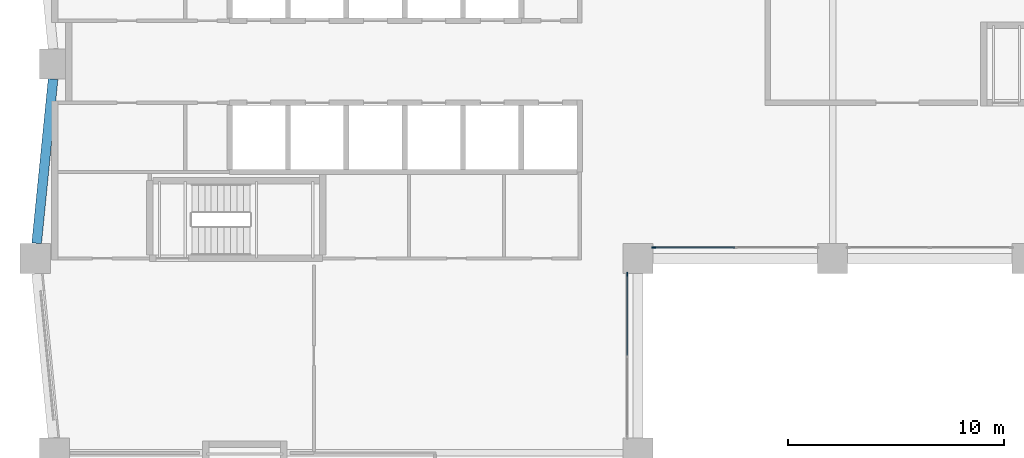
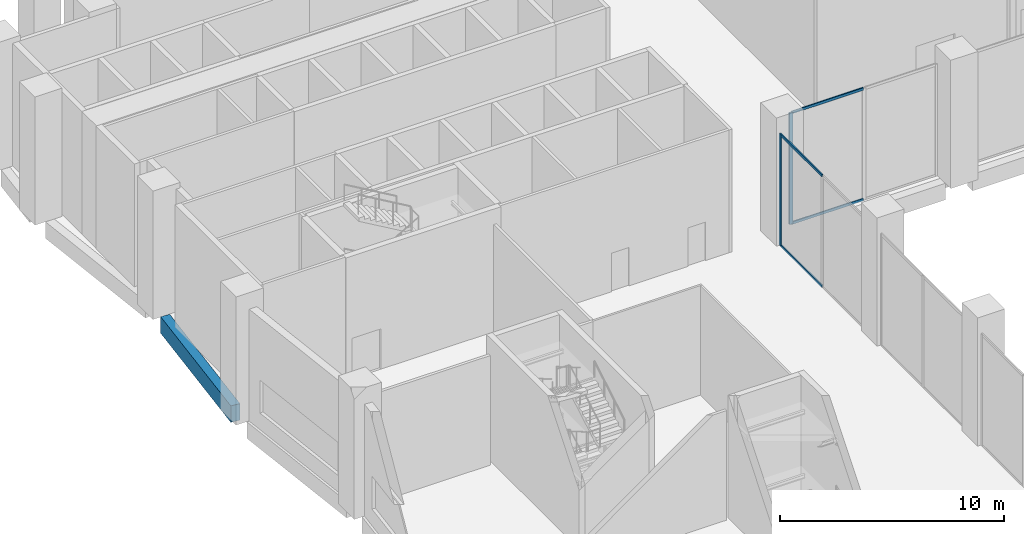
# One storey, part 4 of 18: 6 members, 1 beam, 2 elements without a shape of their own.
"""IFC4 building model written with IfcOpenShell, lengths in metres."""

import ifcopenshell
import ifcopenshell.guid

model = None  # the IFC model being written
_history = None  # IfcOwnerHistory: only IFC2X3 demands one
_inside = {}  # id of a spatial element -> (the spatial element, [elements in it])
_under = {}  # id of a project, library or spatial element -> (it, [spatial elements below it])
_declared = {}  # id of a project -> (the project, [libraries it declares])
_typed = {}  # id of a type object -> (the type object, [elements of that type])
_made_of = {}  # id of a material, layer set ... -> (it, [elements and type objects made of it])


def new_model(schema):
    """Start an empty IFC model of exactly this schema.

    Asked for "IFC4X3", IfcOpenShell would pick the latest addendum, in which some entities
    have other attributes; the version numbers below select the first issue.
    IFC2X3 requires an IfcOwnerHistory on every rooted entity: one is made here for all.
    """
    global model, _history
    if schema == "IFC4X3":
        model = ifcopenshell.file(schema_version=(4, 3, 0, 0))
    else:
        model = ifcopenshell.file(schema=schema)
    _inside.clear()
    _under.clear()
    _declared.clear()
    _typed.clear()
    _made_of.clear()
    _history = None
    if model.schema == "IFC2X3":
        org = make("IfcOrganization", Name="unknown")
        user = make(
            "IfcPersonAndOrganization",
            ThePerson=make("IfcPerson", FamilyName="unknown"),
            TheOrganization=org,
        )
        app = make(
            "IfcApplication",
            ApplicationDeveloper=org,
            Version="unknown",
            ApplicationFullName="unknown",
            ApplicationIdentifier="unknown",
        )
        _history = make(
            "IfcOwnerHistory",
            OwningUser=user,
            OwningApplication=app,
            ChangeAction="ADDED",
            CreationDate=0,
        )
    return model


def make(cls, **values):
    """One entity of the class cls with the attributes given. An attribute that is None is left unset."""
    return model.create_entity(
        cls, **{name: value for name, value in values.items() if value is not None}
    )


def rooted(cls, **values):
    """An entity with a GlobalId (a new one), such as an element, a storey or a relation."""
    return make(cls, GlobalId=ifcopenshell.guid.new(), OwnerHistory=_history, **values)


def si_unit(unit_type, name, prefix=None):
    """IfcSIUnit, for example si_unit("LENGTHUNIT", "METRE", prefix="MILLI")."""
    return make("IfcSIUnit", UnitType=unit_type, Prefix=prefix, Name=name)


def assignment(units):
    """IfcUnitAssignment: the units of a project."""
    return None if units is None else make("IfcUnitAssignment", Units=units)


def point(xyz):
    """IfcCartesianPoint."""
    return None if xyz is None else make("IfcCartesianPoint", Coordinates=xyz)


def direction(xyz):
    """IfcDirection."""
    return None if xyz is None else make("IfcDirection", DirectionRatios=xyz)


def frame(location, z_axis=None, x_axis=None):
    """IfcAxis2Placement3D, a coordinate frame: its origin and axes. An axis left out is left unset."""
    return make(
        "IfcAxis2Placement3D",
        Location=point(location),
        Axis=direction(z_axis),
        RefDirection=direction(x_axis),
    )


def frame_2d(location, x_axis=None):
    """IfcAxis2Placement2D, a coordinate frame in the plane: its origin and x axis."""
    return make(
        "IfcAxis2Placement2D", Location=point(location), RefDirection=direction(x_axis)
    )


def origin():
    """The frame at (0, 0, 0) with its axes left unset."""
    return frame((0.0, 0.0, 0.0))


def origin_2d():
    """The frame at (0, 0) in the plane with its x axis left unset."""
    return frame_2d((0.0, 0.0))


def place(relative_to, where):
    """IfcLocalPlacement: puts the frame where relative to a parent placement (None: the world)."""
    return make(
        "IfcLocalPlacement", PlacementRelTo=relative_to, RelativePlacement=where
    )


def context(
    kind, dimensions, precision=None, world=None, true_north=None, identifier=None
):
    """IfcGeometricRepresentationContext, for example the 3D "Model" context."""
    return make(
        "IfcGeometricRepresentationContext",
        ContextIdentifier=identifier,
        ContextType=kind,
        CoordinateSpaceDimension=dimensions,
        Precision=precision,
        WorldCoordinateSystem=world,
        TrueNorth=true_north,
    )


def subcontext(parent, identifier, kind, view, scale=None):
    """IfcGeometricRepresentationSubContext, for example "Body" below "Model"."""
    return make(
        "IfcGeometricRepresentationSubContext",
        ContextIdentifier=identifier,
        ContextType=kind,
        ParentContext=parent,
        TargetScale=scale,
        TargetView=view,
    )


def project(units=None, contexts=None):
    """IfcProject with its units and contexts."""
    return rooted(
        "IfcProject",
        Name="project",
        RepresentationContexts=contexts,
        UnitsInContext=assignment(units),
    )


def spatial(cls, under=None, at=None, **own):
    """A site, building, storey or space (cls), placed at a placement, below another one or the project."""
    s = rooted(cls, ObjectPlacement=at, **own)
    if under is not None:
        _under.setdefault(under.id(), (under, []))[1].append(s)
    return s


def profile(cls, at=None, kind="AREA", **sizes):
    """A parametric profile (cls). Its sizes go by their IFC names, for example OverallWidth=200.0."""
    return make(cls, ProfileType=kind, Position=at, **sizes)


def rectangle(**sizes):
    """IfcRectangleProfileDef."""
    return profile("IfcRectangleProfileDef", **sizes)


def extrude(swept, where, along, depth):
    """IfcExtrudedAreaSolid: the profile swept, set in the frame where, extruded along a direction by depth."""
    return make(
        "IfcExtrudedAreaSolid",
        SweptArea=swept,
        Position=where,
        ExtrudedDirection=direction(along),
        Depth=depth,
    )


def shape(context_of_items, identifier, shape_type, items):
    """IfcShapeRepresentation: the items that make up one representation, for example the "Body"."""
    return make(
        "IfcShapeRepresentation",
        ContextOfItems=context_of_items,
        RepresentationIdentifier=identifier,
        RepresentationType=shape_type,
        Items=items,
    )


def material(Name=None, Category=None):
    """IfcMaterial."""
    return make("IfcMaterial", Name=Name, Category=Category)


def material_profile(
    of_material, cross_section, Name=None, Category=None, Priority=None
):
    """IfcMaterialProfile: a cross section and its material."""
    return make(
        "IfcMaterialProfile",
        Name=Name,
        Material=of_material,
        Profile=cross_section,
        Priority=Priority,
        Category=Category,
    )


def profile_set(profiles, Name=None, composite=None):
    """IfcMaterialProfileSet."""
    return make(
        "IfcMaterialProfileSet",
        Name=Name,
        MaterialProfiles=profiles,
        CompositeProfile=composite,
    )


def made_of(thing, what):
    """Note that an element or type object is made of a material, layer set ...; save() writes the relation."""
    if what is not None:
        _made_of.setdefault(what.id(), (what, []))[1].append(thing)
    return thing


def type_object(cls, material=None, **own):
    """A type object (cls), such as IfcWallType, which elements share."""
    return made_of(rooted(cls, **own), material)


def element(
    cls,
    number,
    at=None,
    inside=None,
    cuts=None,
    type_object=None,
    material=None,
    context=None,
    identifier="Body",
    shape_type=None,
    held_by="IfcProductDefinitionShape",
    body=None,
    shapes=None,
    **own,
):
    """One element of the class cls, such as IfcWall. Its Tag is "e" and its number.

    at: its placement. inside: the storey or other place that contains it. cuts: it is an
    opening in that element (IfcRelVoidsElement). A single representation is given by context,
    identifier, shape_type and body (its items); several are given by shapes. held_by: the class
    of the entity that holds the representations. save() writes the other relations.
    """
    e = rooted(cls, Tag="e%d" % number, ObjectPlacement=at, **own)
    if body is not None:
        shapes = [shape(context, identifier, shape_type, body)]
    if shapes is not None:
        e.Representation = make(held_by, Representations=shapes)
    if inside is not None:
        _inside.setdefault(inside.id(), (inside, []))[1].append(e)
    if cuts is not None:
        rooted(
            "IfcRelVoidsElement", RelatingBuildingElement=cuts, RelatedOpeningElement=e
        )
    if type_object is not None:
        _typed.setdefault(type_object.id(), (type_object, []))[1].append(e)
    return made_of(e, material)


def aggregate(whole, parts):
    """IfcRelAggregates: a whole, such as a stair, and the parts it consists of."""
    return rooted("IfcRelAggregates", RelatingObject=whole, RelatedObjects=parts)


def save(model, path):
    """Write the relations noted so far, then the file.

    IfcRelAggregates (storeys below a building ...), IfcRelContainedInSpatialStructure (elements
    in a storey), IfcRelDefinesByType, IfcRelAssociatesMaterial and IfcRelDeclares: one each for
    every whole, place, type object, material and project.
    """
    for whole, parts in _under.values():
        aggregate(whole, parts)
    for where, things in _inside.values():
        rooted(
            "IfcRelContainedInSpatialStructure",
            RelatedElements=things,
            RelatingStructure=where,
        )
    for kind, things in _typed.values():
        rooted("IfcRelDefinesByType", RelatedObjects=things, RelatingType=kind)
    for what, things in _made_of.values():
        rooted("IfcRelAssociatesMaterial", RelatedObjects=things, RelatingMaterial=what)
    for by, libraries in _declared.values():
        rooted("IfcRelDeclares", RelatingContext=by, RelatedDefinitions=libraries)
    model.write(path)


model = new_model("IFC4")

# Units and contexts
model_context = context("Model", 3, precision=1e-05, world=origin(), true_north=direction((0.0, 1.0)))
body_context = subcontext(model_context, "Body", "Model", "MODEL_VIEW")
ifc_project = project(units=[si_unit("LENGTHUNIT", "METRE"), si_unit("AREAUNIT", "SQUARE_METRE"), si_unit("VOLUMEUNIT", "CUBIC_METRE"), si_unit("PLANEANGLEUNIT", "RADIAN"), si_unit("MASSUNIT", "GRAM", prefix="KILO")], contexts=[model_context])

# Site, building, storey
site_placement = place(None, origin())
site = spatial("IfcSite", under=ifc_project, at=site_placement, CompositionType="ELEMENT")
building_placement = place(site_placement, origin())
building = spatial("IfcBuilding", under=site, at=building_placement, Name="Brondeck Convention Tower", CompositionType="ELEMENT")
storey_placement = place(building_placement, frame((0.0, 0.0, 7.5)))
storey = spatial("IfcBuildingStorey", under=building, at=storey_placement, Name="L01", CompositionType="ELEMENT", Elevation=7.5)

# Curtain wall, member
ifc_material_1 = material(Name="Aluminium, bronze anodised", Category="aluminium")
curtain_wall_type = type_object("IfcCurtainWallType", Name="Podium hall curtain wall", PredefinedType="NOTDEFINED", material=ifc_material_1)
curtain_wall_1_placement = place(storey_placement, origin())
curtain_wall_1 = element("IfcCurtainWall", 1, at=curtain_wall_1_placement, inside=storey, type_object=curtain_wall_type, Name="ENV-CW2-L01-B-E-01", PredefinedType="NOTDEFINED")
ifc_material_profile_1 = material_profile(ifc_material_1, rectangle(XDim=0.06005859375, YDim=0.179931640625, at=origin_2d()), Name="CW2 mullion")
ifc_profile_set_1 = profile_set([ifc_material_profile_1], Name="Aluminium, bronze anodised")
member_type_1 = type_object("IfcMemberType", Name="CW2 mullion", PredefinedType="MULLION", material=ifc_profile_set_1)
member_1_placement = place(storey_placement, frame((26.5, 35.27001953125, 0.0), z_axis=(0.0, 0.0, 1.0), x_axis=(1.0, 0.0, 0.0)))
member_1 = element("IfcMember", 2, at=member_1_placement, type_object=member_type_1, Name="CW2 mullion 1", PredefinedType="MULLION", context=body_context, shape_type="SweptSolid", body=[
    extrude(rectangle(XDim=0.06005859375, YDim=0.179931640625, at=origin_2d()), origin(), (0.0, 0.0, 1.0), 6.10009765625),
])

curtain_wall_2_placement = place(storey_placement, origin())
curtain_wall_2 = element("IfcCurtainWall", 3, at=curtain_wall_2_placement, inside=storey, type_object=curtain_wall_type, Name="ENV-CW2-L01-A-S-01", PredefinedType="NOTDEFINED")
member_2_placement = place(storey_placement, frame((27.72998046875, 36.5, 0.0), z_axis=(0.0, 0.0, 1.0), x_axis=(0.0, -1.0, 0.0)))
member_2 = element("IfcMember", 4, at=member_2_placement, type_object=member_type_1, Name="CW2 mullion 3", PredefinedType="MULLION", context=body_context, shape_type="SweptSolid", body=[
    extrude(rectangle(XDim=0.06005859375, YDim=0.179931640625, at=origin_2d()), origin(), (0.0, 0.0, 1.0), 6.10009765625),
])

# Member
ifc_material_profile_2 = material_profile(ifc_material_1, rectangle(XDim=0.06005859375, YDim=0.139892578125, at=origin_2d()), Name="CW2 transom")
ifc_profile_set_2 = profile_set([ifc_material_profile_2], Name="Aluminium, bronze anodised")
member_type_2 = type_object("IfcMemberType", Name="CW2 transom", PredefinedType="USERDEFINED", material=ifc_profile_set_2)
member_3_placement = place(storey_placement, frame((26.5, 35.239990234375, 0.030029296875), z_axis=(0.0, -1.0, 0.0), x_axis=(1.0, 0.0, 0.0)))
member_3 = element("IfcMember", 5, at=member_3_placement, type_object=member_type_2, Name="CW2 transom 1.1", ObjectType="TRANSOM", PredefinedType="USERDEFINED", context=body_context, shape_type="SweptSolid", body=[
    extrude(rectangle(XDim=0.06005859375, YDim=0.139892578125, at=origin_2d()), origin(), (0.0, 0.0, 1.0), 3.7099609375),
])

member_4_placement = place(storey_placement, frame((26.5, 35.239990234375, 6.070068359375), z_axis=(0.0, -1.0, 0.0), x_axis=(1.0, 0.0, 0.0)))
member_4 = element("IfcMember", 6, at=member_4_placement, type_object=member_type_2, Name="CW2 transom 1.2", ObjectType="TRANSOM", PredefinedType="USERDEFINED", context=body_context, shape_type="SweptSolid", body=[
    extrude(rectangle(XDim=0.06005859375, YDim=0.139892578125, at=origin_2d()), origin(), (0.0, 0.0, 1.0), 3.7099609375),
])

aggregate(curtain_wall_1, [member_1, member_3, member_4])

member_5_placement = place(storey_placement, frame((31.469970703125, 36.5, 0.030029296875), z_axis=(-1.0, 0.0, 0.0), x_axis=(0.0, -1.0, 0.0)))
member_5 = element("IfcMember", 7, at=member_5_placement, type_object=member_type_2, Name="CW2 transom 2.1", ObjectType="TRANSOM", PredefinedType="USERDEFINED", context=body_context, shape_type="SweptSolid", body=[
    extrude(rectangle(XDim=0.06005859375, YDim=0.139892578125, at=origin_2d()), origin(), (0.0, 0.0, 1.0), 3.7099609375),
])

member_6_placement = place(storey_placement, frame((31.469970703125, 36.5, 6.070068359375), z_axis=(-1.0, 0.0, 0.0), x_axis=(0.0, -1.0, 0.0)))
member_6 = element("IfcMember", 8, at=member_6_placement, type_object=member_type_2, Name="CW2 transom 2.2", ObjectType="TRANSOM", PredefinedType="USERDEFINED", context=body_context, shape_type="SweptSolid", body=[
    extrude(rectangle(XDim=0.06005859375, YDim=0.139892578125, at=origin_2d()), origin(), (0.0, 0.0, 1.0), 3.7099609375),
])

aggregate(curtain_wall_2, [member_2, member_5, member_6])

# Beam
ifc_material_2 = material(Name="Concrete C80/95", Category="concrete")
ifc_material_profile_3 = material_profile(ifc_material_2, rectangle(XDim=0.449951171875, YDim=0.89990234375, at=origin_2d()), Name="Edge beam 450x900 Concrete C80/95")
ifc_profile_set_3 = profile_set([ifc_material_profile_3], Name="Concrete C80/95")
beam_type = type_object("IfcBeamType", Name="Edge beam 450x900 Concrete C80/95", PredefinedType="BEAM", material=ifc_profile_set_3)
beam_placement = place(storey_placement, frame((-0.070068359375, 44.300048828125, -0.449951171875), z_axis=(-0.099503719021, -0.99503719021, 0.0), x_axis=(0.99503719021, -0.099503719021, 0.0)))
element("IfcBeam", 9, at=beam_placement, inside=storey, type_object=beam_type, Name="STR-SP-L01-032", PredefinedType="BEAM", context=body_context, shape_type="SweptSolid", body=[
    extrude(rectangle(XDim=0.449951171875, YDim=0.89990234375, at=origin_2d()), origin(), (0.0, 0.0, 1.0), 7.637939453125),
])

save(model, "model.ifc")
